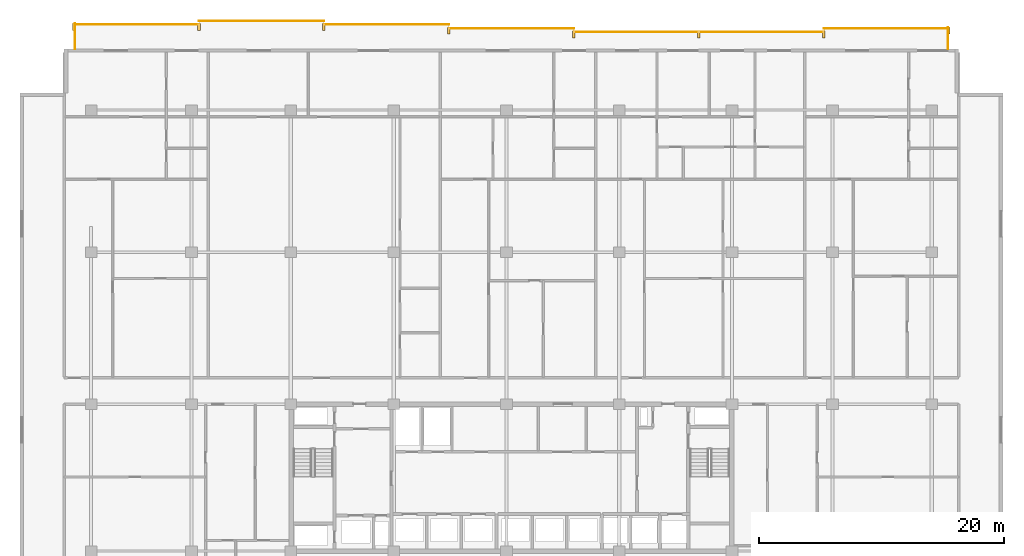
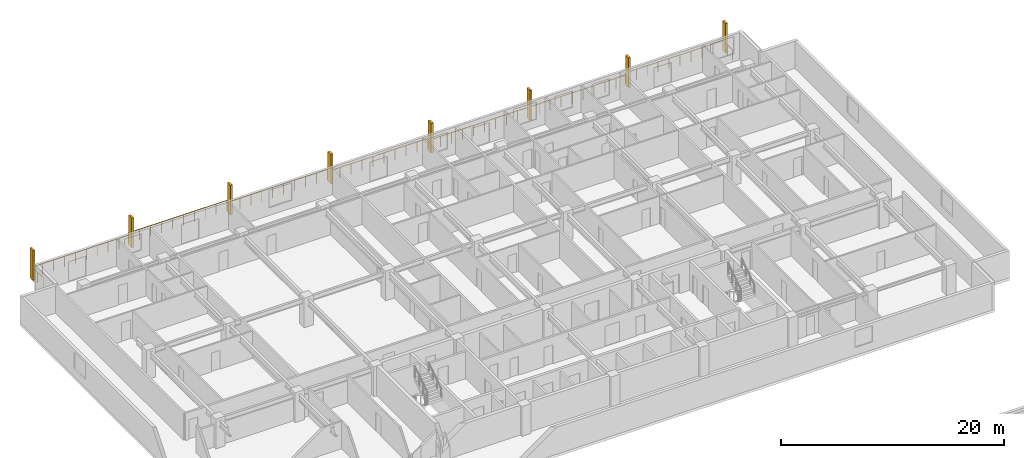
# One storey, part 22 of 22: 8 railings, 8 shading devices.
"""IFC4 building model written with IfcOpenShell, lengths in metres."""

from ifc_helpers import new_model, si_unit, direction, frame, origin, origin_2d, place, context, subcontext, project, spatial, rectangle, circle, extrude, material, type_object, element, save


model = new_model("IFC4")

# Units and contexts
model_context = context("Model", 3, precision=1e-05, world=origin(), true_north=direction((0.0, 1.0)))
body_context = subcontext(model_context, "Body", "Model", "MODEL_VIEW")
ifc_project = project(units=[si_unit("LENGTHUNIT", "METRE"), si_unit("AREAUNIT", "SQUARE_METRE"), si_unit("VOLUMEUNIT", "CUBIC_METRE"), si_unit("PLANEANGLEUNIT", "RADIAN"), si_unit("MASSUNIT", "GRAM", prefix="KILO")], contexts=[model_context])

# Site, building, storey
site_placement = place(None, origin())
site = spatial("IfcSite", under=ifc_project, at=site_placement, CompositionType="ELEMENT")
building_placement = place(site_placement, origin())
building = spatial("IfcBuilding", under=site, at=building_placement, Name="Korimba Cascade Residences", CompositionType="ELEMENT")
storey_placement = place(building_placement, frame((0.0, 0.0, 87.300048828125)))
storey = spatial("IfcBuildingStorey", under=building, at=storey_placement, Name="L24", CompositionType="ELEMENT", Elevation=87.300048828125)

# Railings
ifc_material_1 = material(Name="Laminated Glass and Bronze Balustrade", Category="glass")
railing_type = type_object("IfcRailingType", Name="RLG-LOG-1150", PredefinedType="BALUSTRADE", material=ifc_material_1)
railing_1_placement = place(storey_placement, frame((129.719970703125, 96.199951171875, 0.0)))
element("IfcRailing", 1, at=railing_1_placement, inside=storey, type_object=railing_type, Name="L24 Perimeter Guardrail RLG-L24-T1-LOG-01", PredefinedType="BALUSTRADE", context=body_context, shape_type="SweptSolid", body=[
    extrude(circle(Radius=0.02392578125, at=origin_2d()), frame((0.0, 0.0, 1.1259765625), z_axis=(0.0, 1.0, 0.0), x_axis=(-1.0, 0.0, 0.0)), (0.0, 0.0, 1.0), 1.75),
    extrude(circle(Radius=0.02099609375, at=origin_2d()), origin(), (0.0, 0.0, 1.0), 1.101806640625),
    extrude(circle(Radius=0.02099609375, at=origin_2d()), frame((0.0, 0.875, 0.0)), (0.0, 0.0, 1.0), 1.101806640625),
    extrude(circle(Radius=0.02099609375, at=origin_2d()), frame((0.0, 1.75, 0.0)), (0.0, 0.0, 1.0), 1.101806640625),
])
railing_2_placement = place(storey_placement, frame((129.800048828125, 97.8701171875, 0.0)))
element("IfcRailing", 2, at=railing_2_placement, inside=storey, type_object=railing_type, Name="L24 Perimeter Guardrail RLG-L24-T1-LOG-02", PredefinedType="BALUSTRADE", context=body_context, shape_type="SweptSolid", body=[
    extrude(circle(Radius=0.02392578125, at=origin_2d()), frame((0.0, 0.0, 1.1259765625), z_axis=(-1.0, 0.0, 0.0), x_axis=(0.0, -1.0, 0.0)), (0.0, 0.0, 1.0), 10.199951171875),
    extrude(circle(Radius=0.02099609375, at=origin_2d()), origin(), (0.0, 0.0, 1.0), 1.101806640625),
    extrude(circle(Radius=0.02099609375, at=origin_2d()), frame((-1.13330078125, 0.0, 0.0)), (0.0, 0.0, 1.0), 1.101806640625),
    extrude(circle(Radius=0.02099609375, at=origin_2d()), frame((-2.2666015625, 0.0, 0.0)), (0.0, 0.0, 1.0), 1.101806640625),
    extrude(circle(Radius=0.02099609375, at=origin_2d()), frame((-3.39990234375, 0.0, 0.0)), (0.0, 0.0, 1.0), 1.101806640625),
    extrude(circle(Radius=0.02099609375, at=origin_2d()), frame((-4.533203125, 0.0, 0.0)), (0.0, 0.0, 1.0), 1.101806640625),
    extrude(circle(Radius=0.02099609375, at=origin_2d()), frame((-5.666748046875, 0.0, 0.0)), (0.0, 0.0, 1.0), 1.101806640625),
    extrude(circle(Radius=0.02099609375, at=origin_2d()), frame((-6.800048828125, 0.0, 0.0)), (0.0, 0.0, 1.0), 1.101806640625),
    extrude(circle(Radius=0.02099609375, at=origin_2d()), frame((-7.933349609375, 0.0, 0.0)), (0.0, 0.0, 1.0), 1.101806640625),
    extrude(circle(Radius=0.02099609375, at=origin_2d()), frame((-9.066650390625, 0.0, 0.0)), (0.0, 0.0, 1.0), 1.101806640625),
    extrude(circle(Radius=0.02099609375, at=origin_2d()), frame((-10.199951171875, 0.0, 0.0)), (0.0, 0.0, 1.0), 1.101806640625),
])
railing_3_placement = place(storey_placement, frame((119.60009765625, 97.570068359375, 0.0)))
element("IfcRailing", 3, at=railing_3_placement, inside=storey, type_object=railing_type, Name="L24 Perimeter Guardrail RLG-L24-T1-LOG-03", PredefinedType="BALUSTRADE", context=body_context, shape_type="SweptSolid", body=[
    extrude(circle(Radius=0.02392578125, at=origin_2d()), frame((0.0, 0.0, 1.1259765625), z_axis=(-1.0, 0.0, 0.0), x_axis=(0.0, -1.0, 0.0)), (0.0, 0.0, 1.0), 20.400146484375),
    extrude(circle(Radius=0.02099609375, at=origin_2d()), origin(), (0.0, 0.0, 1.0), 1.101806640625),
    extrude(circle(Radius=0.02099609375, at=origin_2d()), frame((-1.13330078125, 0.0, 0.0)), (0.0, 0.0, 1.0), 1.101806640625),
    extrude(circle(Radius=0.02099609375, at=origin_2d()), frame((-2.2666015625, 0.0, 0.0)), (0.0, 0.0, 1.0), 1.101806640625),
    extrude(circle(Radius=0.02099609375, at=origin_2d()), frame((-3.39990234375, 0.0, 0.0)), (0.0, 0.0, 1.0), 1.101806640625),
    extrude(circle(Radius=0.02099609375, at=origin_2d()), frame((-4.533447265625, 0.0, 0.0)), (0.0, 0.0, 1.0), 1.101806640625),
    extrude(circle(Radius=0.02099609375, at=origin_2d()), frame((-5.666748046875, 0.0, 0.0)), (0.0, 0.0, 1.0), 1.101806640625),
    extrude(circle(Radius=0.02099609375, at=origin_2d()), frame((-6.800048828125, 0.0, 0.0)), (0.0, 0.0, 1.0), 1.101806640625),
    extrude(circle(Radius=0.02099609375, at=origin_2d()), frame((-7.933349609375, 0.0, 0.0)), (0.0, 0.0, 1.0), 1.101806640625),
    extrude(circle(Radius=0.02099609375, at=origin_2d()), frame((-9.066650390625, 0.0, 0.0)), (0.0, 0.0, 1.0), 1.101806640625),
    extrude(circle(Radius=0.02099609375, at=origin_2d()), frame((-10.2001953125, 0.0, 0.0)), (0.0, 0.0, 1.0), 1.101806640625),
    extrude(circle(Radius=0.02099609375, at=origin_2d()), frame((-11.33349609375, 0.0, 0.0)), (0.0, 0.0, 1.0), 1.101806640625),
    extrude(circle(Radius=0.02099609375, at=origin_2d()), frame((-12.466796875, 0.0, 0.0)), (0.0, 0.0, 1.0), 1.101806640625),
    extrude(circle(Radius=0.02099609375, at=origin_2d()), frame((-13.60009765625, 0.0, 0.0)), (0.0, 0.0, 1.0), 1.101806640625),
    extrude(circle(Radius=0.02099609375, at=origin_2d()), frame((-14.7333984375, 0.0, 0.0)), (0.0, 0.0, 1.0), 1.101806640625),
    extrude(circle(Radius=0.02099609375, at=origin_2d()), frame((-15.86669921875, 0.0, 0.0)), (0.0, 0.0, 1.0), 1.101806640625),
    extrude(circle(Radius=0.02099609375, at=origin_2d()), frame((-17.0, 0.0, 0.0)), (0.0, 0.0, 1.0), 1.101806640625),
    extrude(circle(Radius=0.02099609375, at=origin_2d()), frame((-18.133544921875, 0.0, 0.0)), (0.0, 0.0, 1.0), 1.101806640625),
    extrude(circle(Radius=0.02099609375, at=origin_2d()), frame((-19.266845703125, 0.0, 0.0)), (0.0, 0.0, 1.0), 1.101806640625),
    extrude(circle(Radius=0.02099609375, at=origin_2d()), frame((-20.400146484375, 0.0, 0.0)), (0.0, 0.0, 1.0), 1.101806640625),
])
for number, where, name in (
    (4, (99.199951171875, 97.8701171875, 0.0), "L24 Perimeter Guardrail RLG-L24-T1-LOG-04"),
    (5, (89.0, 98.169921875, 0.0), "L24 Perimeter Guardrail RLG-L24-T1-LOG-05"),
    (6, (78.800048828125, 98.469970703125, 0.0), "L24 Perimeter Guardrail RLG-L24-T1-LOG-06"),
):
    element("IfcRailing", number, at=place(storey_placement, frame(where)), inside=storey, type_object=railing_type, Name=name, PredefinedType="BALUSTRADE", context=body_context, shape_type="SweptSolid", body=[
        extrude(circle(Radius=0.02392578125, at=origin_2d()), frame((0.0, 0.0, 1.1259765625), z_axis=(-1.0, 0.0, 0.0), x_axis=(0.0, -1.0, 0.0)), (0.0, 0.0, 1.0), 10.199951171875),
        extrude(circle(Radius=0.02099609375, at=origin_2d()), origin(), (0.0, 0.0, 1.0), 1.101806640625),
        extrude(circle(Radius=0.02099609375, at=origin_2d()), frame((-1.13330078125, 0.0, 0.0)), (0.0, 0.0, 1.0), 1.101806640625),
        extrude(circle(Radius=0.02099609375, at=origin_2d()), frame((-2.2666015625, 0.0, 0.0)), (0.0, 0.0, 1.0), 1.101806640625),
        extrude(circle(Radius=0.02099609375, at=origin_2d()), frame((-3.39990234375, 0.0, 0.0)), (0.0, 0.0, 1.0), 1.101806640625),
        extrude(circle(Radius=0.02099609375, at=origin_2d()), frame((-4.533203125, 0.0, 0.0)), (0.0, 0.0, 1.0), 1.101806640625),
        extrude(circle(Radius=0.02099609375, at=origin_2d()), frame((-5.666748046875, 0.0, 0.0)), (0.0, 0.0, 1.0), 1.101806640625),
        extrude(circle(Radius=0.02099609375, at=origin_2d()), frame((-6.800048828125, 0.0, 0.0)), (0.0, 0.0, 1.0), 1.101806640625),
        extrude(circle(Radius=0.02099609375, at=origin_2d()), frame((-7.933349609375, 0.0, 0.0)), (0.0, 0.0, 1.0), 1.101806640625),
        extrude(circle(Radius=0.02099609375, at=origin_2d()), frame((-9.066650390625, 0.0, 0.0)), (0.0, 0.0, 1.0), 1.101806640625),
        extrude(circle(Radius=0.02099609375, at=origin_2d()), frame((-10.199951171875, 0.0, 0.0)), (0.0, 0.0, 1.0), 1.101806640625),
    ])
railing_4_placement = place(storey_placement, frame((68.60009765625, 98.169921875, 0.0)))
element("IfcRailing", 7, at=railing_4_placement, inside=storey, type_object=railing_type, Name="L24 Perimeter Guardrail RLG-L24-T1-LOG-07", PredefinedType="BALUSTRADE", context=body_context, shape_type="SweptSolid", body=[
    extrude(circle(Radius=0.02392578125, at=origin_2d()), frame((0.0, 0.0, 1.1259765625), z_axis=(-1.0, 0.0, 0.0), x_axis=(0.0, -1.0, 0.0)), (0.0, 0.0, 1.0), 10.2001953125),
    extrude(circle(Radius=0.02099609375, at=origin_2d()), origin(), (0.0, 0.0, 1.0), 1.101806640625),
    extrude(circle(Radius=0.02099609375, at=origin_2d()), frame((-1.13330078125, 0.0, 0.0)), (0.0, 0.0, 1.0), 1.101806640625),
    extrude(circle(Radius=0.02099609375, at=origin_2d()), frame((-2.2666015625, 0.0, 0.0)), (0.0, 0.0, 1.0), 1.101806640625),
    extrude(circle(Radius=0.02099609375, at=origin_2d()), frame((-3.400146484375, 0.0, 0.0)), (0.0, 0.0, 1.0), 1.101806640625),
    extrude(circle(Radius=0.02099609375, at=origin_2d()), frame((-4.533447265625, 0.0, 0.0)), (0.0, 0.0, 1.0), 1.101806640625),
    extrude(circle(Radius=0.02099609375, at=origin_2d()), frame((-5.666748046875, 0.0, 0.0)), (0.0, 0.0, 1.0), 1.101806640625),
    extrude(circle(Radius=0.02099609375, at=origin_2d()), frame((-6.800048828125, 0.0, 0.0)), (0.0, 0.0, 1.0), 1.101806640625),
    extrude(circle(Radius=0.02099609375, at=origin_2d()), frame((-7.93359375, 0.0, 0.0)), (0.0, 0.0, 1.0), 1.101806640625),
    extrude(circle(Radius=0.02099609375, at=origin_2d()), frame((-9.06689453125, 0.0, 0.0)), (0.0, 0.0, 1.0), 1.101806640625),
    extrude(circle(Radius=0.02099609375, at=origin_2d()), frame((-10.2001953125, 0.0, 0.0)), (0.0, 0.0, 1.0), 1.101806640625),
])
railing_5_placement = place(storey_placement, frame((58.47998046875, 98.25, 0.0)))
element("IfcRailing", 8, at=railing_5_placement, inside=storey, type_object=railing_type, Name="L24 Perimeter Guardrail RLG-L24-T1-LOG-08", PredefinedType="BALUSTRADE", context=body_context, shape_type="SweptSolid", body=[
    extrude(circle(Radius=0.02392578125, at=origin_2d()), frame((0.0, 0.0, 1.1259765625), z_axis=(0.0, -1.0, 0.0), x_axis=(1.0, 0.0, 0.0)), (0.0, 0.0, 1.0), 2.050048828125),
    extrude(circle(Radius=0.02099609375, at=origin_2d()), origin(), (0.0, 0.0, 1.0), 1.101806640625),
    extrude(circle(Radius=0.02099609375, at=origin_2d()), frame((0.0, -1.02490234375, 0.0)), (0.0, 0.0, 1.0), 1.101806640625),
    extrude(circle(Radius=0.02099609375, at=origin_2d()), frame((0.0, -2.050048828125, 0.0)), (0.0, 0.0, 1.0), 1.101806640625),
])

# Shading devices
ifc_material_2 = material(Name="Honed Sandstone Precast Fin", Category="masonry")
shading_device_type = type_object("IfcShadingDeviceType", Name="SHD-FIN-550", PredefinedType="USERDEFINED", material=ifc_material_2)
for number, where, z_axis, x_axis, name in (
    (9, (58.39990234375, 97.97509765625, 0.0), (0.0, 0.0, 1.0), (1.0, 0.0, 0.0), "L24 T1 Warm-Stone Loggia Fin 1"),
    (10, (68.60009765625, 97.97509765625, 0.0), (0.0, 0.0, 1.0), (1.0, 0.0, 0.0), "L24 T1 Warm-Stone Loggia Fin 2"),
    (11, (78.800048828125, 97.97509765625, 0.0), (0.0, 0.0, 1.0), (1.0, 0.0, 0.0), "L24 T1 Warm-Stone Loggia Fin 3"),
    (12, (89.0, 97.675048828125, 0.0), (0.0, 0.0, 1.0), (1.0, 0.0, 0.0), "L24 T1 Warm-Stone Loggia Fin 4"),
    (13, (99.199951171875, 97.375, 0.0), (0.0, 0.0, 1.0), (1.0, 0.0, 0.0), "L24 T1 Warm-Stone Loggia Fin 5"),
    (14, (109.39990234375, 97.375, 0.0), (0.0, 0.0, 1.0), (1.0, 0.0, 0.0), "L24 T1 Warm-Stone Loggia Fin 6"),
    (15, (119.60009765625, 97.375, 0.0), (0.0, 0.0, 1.0), (1.0, 0.0, 0.0), "L24 T1 Warm-Stone Loggia Fin 7"),
    (16, (129.800048828125, 97.675048828125, 0.0), (0.0, 0.0, 1.0), (1.0, 0.0, 0.0), "L24 T1 Warm-Stone Loggia Fin 8"),
):
    element("IfcShadingDevice", number, at=place(storey_placement, frame(where, z_axis=z_axis, x_axis=x_axis)), inside=storey, type_object=shading_device_type, Name=name, ObjectType="FIN", PredefinedType="USERDEFINED", context=body_context, shape_type="SweptSolid", body=[
        extrude(rectangle(XDim=0.219970703125, YDim=0.550048828125, at=origin_2d()), origin(), (0.0, 0.0, 1.0), 3.25),
    ])

save(model, "model.ifc")
